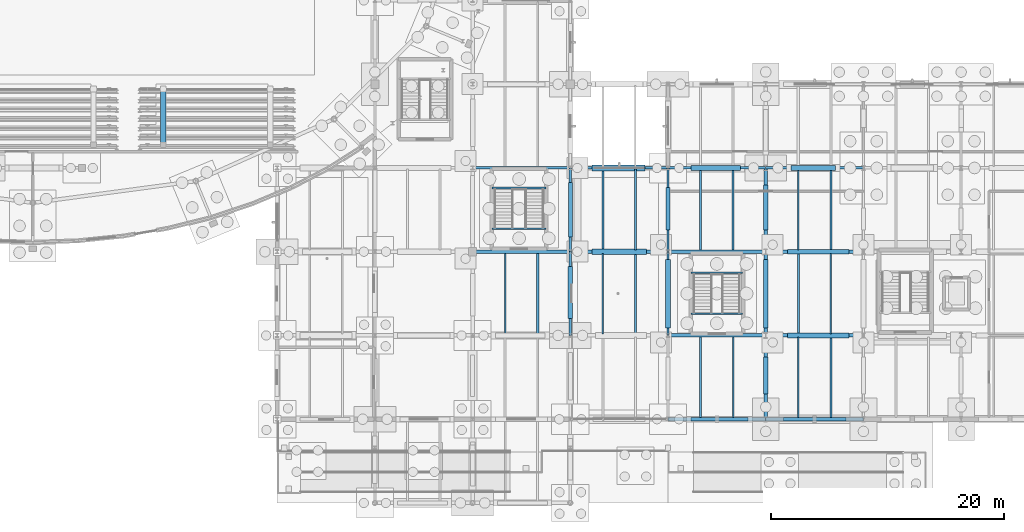
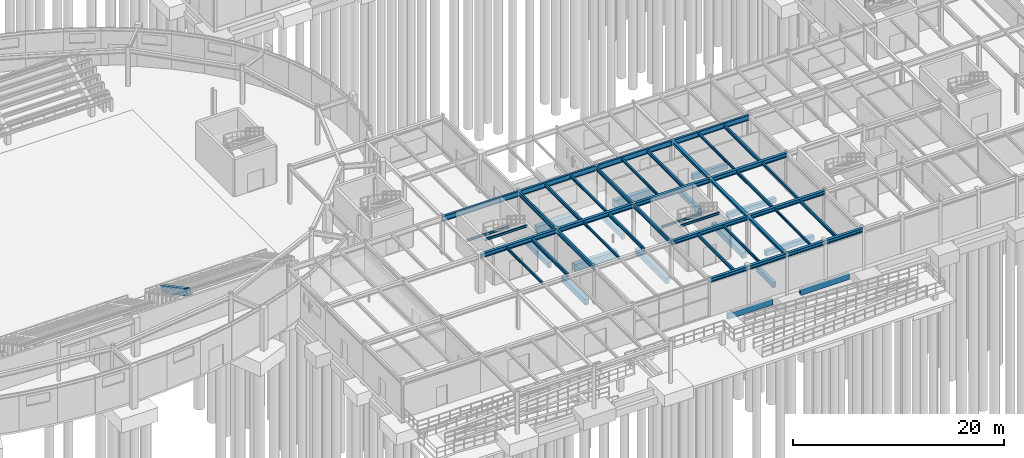
# One storey, part 37 of 93: 55 beams.
"""IFC4 building model written with IfcOpenShell, lengths in metres."""

from ifc_helpers import new_model, si_unit, derived_unit, direction, frame, origin, origin_2d, place, context, subcontext, project, spatial, rectangle, i_section, extrude, material, material_profile, profile_set, type_object, element, save


model = new_model("IFC4")

# Units and contexts
model_context = context("Model", 3, precision=1e-05, world=origin(), true_north=direction((0.0, 1.0)))
body_context = subcontext(model_context, "Body", "Model", "MODEL_VIEW")
ifc_project = project(units=[si_unit("LENGTHUNIT", "METRE"), si_unit("AREAUNIT", "SQUARE_METRE"), si_unit("VOLUMEUNIT", "CUBIC_METRE"), si_unit("PLANEANGLEUNIT", "RADIAN"), si_unit("MASSUNIT", "GRAM", prefix="KILO"), derived_unit("THERMALTRANSMITTANCEUNIT", [(si_unit("MASSUNIT", "GRAM", prefix="KILO"), 1), (si_unit("TIMEUNIT", "SECOND"), -3), (si_unit("THERMODYNAMICTEMPERATUREUNIT", "KELVIN"), -1)])], contexts=[model_context])

# Site, building, storey
site_placement = place(None, origin())
site = spatial("IfcSite", under=ifc_project, at=site_placement, CompositionType="ELEMENT")
building_placement = place(site_placement, origin())
building = spatial("IfcBuilding", under=site, at=building_placement, Name="Kharveza Railside Sports Centre", CompositionType="ELEMENT")
storey_placement = place(building_placement, origin())
storey = spatial("IfcBuildingStorey", under=building, at=storey_placement, Name="L00", CompositionType="ELEMENT", Elevation=0.0)

# Beams
ifc_material_1 = material(Name="Steel S355J2", Category="steel")
ifc_material_profile_1 = material_profile(ifc_material_1, i_section(OverallWidth=0.219970703125, OverallDepth=0.60009765625, WebThickness=0.011962890625, FlangeThickness=0.01904296875, FilletRadius=0.02392578125, at=origin_2d()), Name="IPE 600")
ifc_profile_set_1 = profile_set([ifc_material_profile_1], Name="Steel S355J2")
beam_type_1 = type_object("IfcBeamType", Name="BM-G01", PredefinedType="T_BEAM", material=ifc_profile_set_1)
beam_1_placement = place(storey_placement, frame((92.39990234375, 28.800048828125, 4.02001953125), z_axis=(1.0, 0.0, 0.0), x_axis=(0.0, 1.0, 0.0)))
element("IfcBeam", 1, at=beam_1_placement, inside=storey, type_object=beam_type_1, Name="BM-EW-L00-B01-X924-Y288", PredefinedType="T_BEAM", context=body_context, shape_type="SweptSolid", body=[
    extrude(i_section(OverallWidth=0.219970703125, OverallDepth=0.60009765625, WebThickness=0.011962890625, FlangeThickness=0.01904296875, FilletRadius=0.02392578125, at=origin_2d()), origin(), (0.0, 0.0, 1.0), 8.400146484375),
])
beam_2_placement = place(storey_placement, frame((100.800048828125, 28.800048828125, 4.02001953125), z_axis=(1.0, 0.0, 0.0), x_axis=(0.0, 1.0, 0.0)))
element("IfcBeam", 2, at=beam_2_placement, inside=storey, type_object=beam_type_1, Name="BM-EW-L00-B01-X1008-Y288", PredefinedType="T_BEAM", context=body_context, shape_type="SweptSolid", body=[
    extrude(i_section(OverallWidth=0.219970703125, OverallDepth=0.60009765625, WebThickness=0.011962890625, FlangeThickness=0.01904296875, FilletRadius=0.02392578125, at=origin_2d()), origin(), (0.0, 0.0, 1.0), 8.39990234375),
])
beam_3_placement = place(storey_placement, frame((109.199951171875, 28.800048828125, 4.02001953125), z_axis=(1.0, 0.0, 0.0), x_axis=(0.0, 1.0, 0.0)))
element("IfcBeam", 3, at=beam_3_placement, inside=storey, type_object=beam_type_1, Name="BM-EW-L00-B01-X1092-Y288", PredefinedType="T_BEAM", context=body_context, shape_type="SweptSolid", body=[
    extrude(i_section(OverallWidth=0.219970703125, OverallDepth=0.60009765625, WebThickness=0.011962890625, FlangeThickness=0.01904296875, FilletRadius=0.02392578125, at=origin_2d()), origin(), (0.0, 0.0, 1.0), 8.400146484375),
])
beam_4_placement = place(storey_placement, frame((117.60009765625, 28.800048828125, 4.02001953125), z_axis=(1.0, 0.0, 0.0), x_axis=(0.0, 1.0, 0.0)))
element("IfcBeam", 4, at=beam_4_placement, inside=storey, type_object=beam_type_1, Name="BM-EW-L00-B01-X1176-Y288", PredefinedType="T_BEAM", context=body_context, shape_type="SweptSolid", body=[
    extrude(i_section(OverallWidth=0.219970703125, OverallDepth=0.60009765625, WebThickness=0.011962890625, FlangeThickness=0.01904296875, FilletRadius=0.02392578125, at=origin_2d()), origin(), (0.0, 0.0, 1.0), 8.39990234375),
])
ifc_material_profile_2 = material_profile(ifc_material_1, i_section(OverallWidth=0.199951171875, OverallDepth=0.5, WebThickness=0.01025390625, FlangeThickness=0.01611328125, FilletRadius=0.02099609375, at=origin_2d()), Name="IPE 500")
ifc_profile_set_2 = profile_set([ifc_material_profile_2], Name="Steel S355J2")
beam_type_2 = type_object("IfcBeamType", Name="BM-G03", PredefinedType="T_BEAM", material=ifc_profile_set_2)
beam_5_placement = place(storey_placement, frame((100.800048828125, 14.39990234375, 4.070068359375), z_axis=(0.0, 1.0, 0.0), x_axis=(-1.0, 0.0, 0.0)))
element("IfcBeam", 5, at=beam_5_placement, inside=storey, type_object=beam_type_2, Name="BM-NS-L00-B03-X1008-Y144", PredefinedType="T_BEAM", context=body_context, shape_type="SweptSolid", body=[
    extrude(i_section(OverallWidth=0.199951171875, OverallDepth=0.5, WebThickness=0.01025390625, FlangeThickness=0.01611328125, FilletRadius=0.02099609375, at=origin_2d()), origin(), (0.0, 0.0, 1.0), 7.2001953125),
])
beam_6_placement = place(storey_placement, frame((100.800048828125, 21.60009765625, 4.070068359375), z_axis=(0.0, 1.0, 0.0), x_axis=(-1.0, 0.0, 0.0)))
element("IfcBeam", 6, at=beam_6_placement, inside=storey, type_object=beam_type_2, Name="BM-NS-L00-B03-X1008-Y216", PredefinedType="T_BEAM", context=body_context, shape_type="SweptSolid", body=[
    extrude(i_section(OverallWidth=0.199951171875, OverallDepth=0.5, WebThickness=0.01025390625, FlangeThickness=0.01611328125, FilletRadius=0.02099609375, at=origin_2d()), origin(), (0.0, 0.0, 1.0), 7.199951171875),
])
ifc_material_profile_3 = material_profile(ifc_material_1, i_section(OverallWidth=0.18994140625, OverallDepth=0.449951171875, WebThickness=0.009521484375, FlangeThickness=0.0146484375, FilletRadius=0.02099609375, at=origin_2d()), Name="IPE 450")
ifc_profile_set_3 = profile_set([ifc_material_profile_3], Name="Steel S355J2")
beam_type_3 = type_object("IfcBeamType", Name="BM-G04", PredefinedType="T_BEAM", material=ifc_profile_set_3)
beam_7_placement = place(storey_placement, frame((109.199951171875, 14.39990234375, 4.094970703125), z_axis=(0.0, 1.0, 0.0), x_axis=(-1.0, 0.0, 0.0)))
element("IfcBeam", 7, at=beam_7_placement, inside=storey, type_object=beam_type_3, Name="BM-NS-L00-B04-X1092-Y144", PredefinedType="T_BEAM", context=body_context, shape_type="SweptSolid", body=[
    extrude(i_section(OverallWidth=0.18994140625, OverallDepth=0.449951171875, WebThickness=0.009521484375, FlangeThickness=0.0146484375, FilletRadius=0.02099609375, at=origin_2d()), origin(), (0.0, 0.0, 1.0), 7.2001953125),
])
beam_8_placement = place(storey_placement, frame((109.199951171875, 21.60009765625, 4.094970703125), z_axis=(0.0, 1.0, 0.0), x_axis=(-1.0, 0.0, 0.0)))
element("IfcBeam", 8, at=beam_8_placement, inside=storey, type_object=beam_type_3, Name="BM-NS-L00-B04-X1092-Y216", PredefinedType="T_BEAM", context=body_context, shape_type="SweptSolid", body=[
    extrude(i_section(OverallWidth=0.18994140625, OverallDepth=0.449951171875, WebThickness=0.009521484375, FlangeThickness=0.0146484375, FilletRadius=0.02099609375, at=origin_2d()), origin(), (0.0, 0.0, 1.0), 7.199951171875),
])
ifc_material_profile_4 = material_profile(ifc_material_1, i_section(OverallWidth=0.300048828125, OverallDepth=0.5, WebThickness=0.014404296875, FlangeThickness=0.028076171875, FilletRadius=0.027099609375, at=origin_2d()), Name="HEB 500")
ifc_profile_set_4 = profile_set([ifc_material_profile_4], Name="Steel S355J2")
beam_type_4 = type_object("IfcBeamType", Name="BM-G05", PredefinedType="T_BEAM", material=ifc_profile_set_4)
beam_9_placement = place(storey_placement, frame((92.39990234375, 21.60009765625, 4.070068359375), z_axis=(1.0, 0.0, 0.0), x_axis=(0.0, 1.0, 0.0)))
element("IfcBeam", 9, at=beam_9_placement, inside=storey, type_object=beam_type_4, Name="BM-EW-L00-B05-X924-Y216", PredefinedType="T_BEAM", context=body_context, shape_type="SweptSolid", body=[
    extrude(i_section(OverallWidth=0.300048828125, OverallDepth=0.5, WebThickness=0.014404296875, FlangeThickness=0.028076171875, FilletRadius=0.027099609375, at=origin_2d()), origin(), (0.0, 0.0, 1.0), 8.400146484375),
])
beam_10_placement = place(storey_placement, frame((100.800048828125, 21.60009765625, 4.070068359375), z_axis=(1.0, 0.0, 0.0), x_axis=(0.0, 1.0, 0.0)))
element("IfcBeam", 10, at=beam_10_placement, inside=storey, type_object=beam_type_4, Name="BM-EW-L00-B05-X1008-Y216", PredefinedType="T_BEAM", context=body_context, shape_type="SweptSolid", body=[
    extrude(i_section(OverallWidth=0.300048828125, OverallDepth=0.5, WebThickness=0.014404296875, FlangeThickness=0.028076171875, FilletRadius=0.027099609375, at=origin_2d()), origin(), (0.0, 0.0, 1.0), 8.39990234375),
])
beam_11_placement = place(storey_placement, frame((109.199951171875, 21.60009765625, 4.070068359375), z_axis=(1.0, 0.0, 0.0), x_axis=(0.0, 1.0, 0.0)))
element("IfcBeam", 11, at=beam_11_placement, inside=storey, type_object=beam_type_4, Name="BM-EW-L00-B05-X1092-Y216", PredefinedType="T_BEAM", context=body_context, shape_type="SweptSolid", body=[
    extrude(i_section(OverallWidth=0.300048828125, OverallDepth=0.5, WebThickness=0.014404296875, FlangeThickness=0.028076171875, FilletRadius=0.027099609375, at=origin_2d()), origin(), (0.0, 0.0, 1.0), 8.400146484375),
])
beam_12_placement = place(storey_placement, frame((117.60009765625, 21.60009765625, 4.070068359375), z_axis=(1.0, 0.0, 0.0), x_axis=(0.0, 1.0, 0.0)))
element("IfcBeam", 12, at=beam_12_placement, inside=storey, type_object=beam_type_4, Name="BM-EW-L00-B05-X1176-Y216", PredefinedType="T_BEAM", context=body_context, shape_type="SweptSolid", body=[
    extrude(i_section(OverallWidth=0.300048828125, OverallDepth=0.5, WebThickness=0.014404296875, FlangeThickness=0.028076171875, FilletRadius=0.027099609375, at=origin_2d()), origin(), (0.0, 0.0, 1.0), 8.39990234375),
])
ifc_material_profile_5 = material_profile(ifc_material_1, i_section(OverallWidth=0.300048828125, OverallDepth=0.449951171875, WebThickness=0.013916015625, FlangeThickness=0.02587890625, FilletRadius=0.027099609375, at=origin_2d()), Name="HEB 450")
ifc_profile_set_5 = profile_set([ifc_material_profile_5], Name="Steel S355J2")
beam_type_5 = type_object("IfcBeamType", Name="BM-G06", PredefinedType="T_BEAM", material=ifc_profile_set_5)
beam_13_placement = place(storey_placement, frame((109.199951171875, 14.39990234375, 4.094970703125), z_axis=(1.0, 0.0, 0.0), x_axis=(0.0, 1.0, 0.0)))
element("IfcBeam", 13, at=beam_13_placement, inside=storey, type_object=beam_type_5, Name="BM-EW-L00-B06-X1092-Y144", PredefinedType="T_BEAM", context=body_context, shape_type="SweptSolid", body=[
    extrude(i_section(OverallWidth=0.300048828125, OverallDepth=0.449951171875, WebThickness=0.013916015625, FlangeThickness=0.02587890625, FilletRadius=0.027099609375, at=origin_2d()), origin(), (0.0, 0.0, 1.0), 8.400146484375),
])
beam_14_placement = place(storey_placement, frame((117.60009765625, 14.39990234375, 4.094970703125), z_axis=(1.0, 0.0, 0.0), x_axis=(0.0, 1.0, 0.0)))
element("IfcBeam", 14, at=beam_14_placement, inside=storey, type_object=beam_type_5, Name="BM-EW-L00-B06-X1176-Y144", PredefinedType="T_BEAM", context=body_context, shape_type="SweptSolid", body=[
    extrude(i_section(OverallWidth=0.300048828125, OverallDepth=0.449951171875, WebThickness=0.013916015625, FlangeThickness=0.02587890625, FilletRadius=0.027099609375, at=origin_2d()), origin(), (0.0, 0.0, 1.0), 8.39990234375),
])
ifc_material_2 = material(Name="Concrete C35/45", Category="concrete")
ifc_material_profile_6 = material_profile(ifc_material_2, rectangle(XDim=0.5, YDim=0.800048828125, at=origin_2d()), Name="RCB 500x800")
ifc_profile_set_6 = profile_set([ifc_material_profile_6], Name="Concrete C35/45")
beam_type_6 = type_object("IfcBeamType", Name="BM-RC01", PredefinedType="T_BEAM", material=ifc_profile_set_6)
beam_15_placement = place(storey_placement, frame((102.659912109375, 21.60009765625, -0.820068359375), z_axis=(1.0, 0.0, 0.0), x_axis=(0.0, 1.0, 0.0)))
element("IfcBeam", 15, at=beam_15_placement, inside=storey, type_object=beam_type_6, Name="BM-PLINTH-EW-B25-X1008-Y216-1", PredefinedType="T_BEAM", context=body_context, shape_type="SweptSolid", body=[
    extrude(rectangle(XDim=0.5, YDim=0.800048828125, at=origin_2d()), origin(), (0.0, 0.0, 1.0), 4.68017578125),
])
beam_16_placement = place(storey_placement, frame((102.659912109375, 28.800048828125, -0.820068359375), z_axis=(1.0, 0.0, 0.0), x_axis=(0.0, 1.0, 0.0)))
element("IfcBeam", 16, at=beam_16_placement, inside=storey, type_object=beam_type_6, Name="BM-PLINTH-EW-B25-X1008-Y288-1", PredefinedType="T_BEAM", context=body_context, shape_type="SweptSolid", body=[
    extrude(rectangle(XDim=0.5, YDim=0.800048828125, at=origin_2d()), origin(), (0.0, 0.0, 1.0), 4.580078125),
])
ifc_material_profile_7 = material_profile(ifc_material_2, rectangle(XDim=0.39990234375, YDim=0.64990234375, at=origin_2d()), Name="RCB 400x650")
ifc_profile_set_7 = profile_set([ifc_material_profile_7], Name="Concrete C35/45")
beam_type_7 = type_object("IfcBeamType", Name="BM-RC02", PredefinedType="BEAM", material=ifc_profile_set_7)
beam_17_placement = place(storey_placement, frame((100.800048828125, 15.860107421875, -0.7451171875), z_axis=(0.0, 1.0, 0.0), x_axis=(-1.0, 0.0, 0.0)))
element("IfcBeam", 17, at=beam_17_placement, inside=storey, type_object=beam_type_7, Name="BM-PLINTH-NS-B26-X1008-Y144-1", PredefinedType="BEAM", context=body_context, shape_type="SweptSolid", body=[
    extrude(rectangle(XDim=0.39990234375, YDim=0.64990234375, at=origin_2d()), origin(), (0.0, 0.0, 1.0), 4.47998046875),
])
for number, where, z_axis, x_axis, name in (
    (18, (109.199951171875, 15.06005859375, -0.7451171875), (0.0, 1.0, 0.0), (-1.0, 0.0, 0.0), "BM-PLINTH-NS-B26-X1092-Y144-1"),
    (19, (117.60009765625, 15.06005859375, -0.7451171875), (0.0, 1.0, 0.0), (-1.0, 0.0, 0.0), "BM-PLINTH-NS-B26-X1176-Y144-1"),
):
    element("IfcBeam", number, at=place(storey_placement, frame(where, z_axis=z_axis, x_axis=x_axis)), inside=storey, type_object=beam_type_7, Name=name, PredefinedType="BEAM", context=body_context, shape_type="SweptSolid", body=[
        extrude(rectangle(XDim=0.39990234375, YDim=0.64990234375, at=origin_2d()), origin(), (0.0, 0.0, 1.0), 5.8798828125),
    ])
ifc_material_3 = material(Name="Precast concrete C40/50", Category="concrete")
ifc_material_profile_8 = material_profile(ifc_material_3, rectangle(XDim=0.449951171875, YDim=0.75, at=origin_2d()), Name="RCB 450x750")
ifc_profile_set_8 = profile_set([ifc_material_profile_8], Name="Precast concrete C40/50")
beam_type_8 = type_object("IfcBeamType", Name="BM-RC04", PredefinedType="BEAM", material=ifc_profile_set_8)
beam_18_placement = place(storey_placement, frame((65.800048828125, 30.800048828125, 3.6298828125), z_axis=(0.0, 0.883895060385, -0.467685281175), x_axis=(-1.0, 0.0, 0.0)))
element("IfcBeam", 20, at=beam_18_placement, inside=storey, type_object=beam_type_8, Name="BM-RAKER-S-05", PredefinedType="BEAM", context=body_context, shape_type="SweptSolid", body=[
    extrude(rectangle(XDim=0.449951171875, YDim=0.75, at=origin_2d()), origin(), (0.0, 0.0, 1.0), 5.4306640625),
])
ifc_material_profile_9 = material_profile(ifc_material_2, rectangle(XDim=0.449951171875, YDim=0.85009765625, at=origin_2d()), Name="RCB 450x850")
ifc_profile_set_9 = profile_set([ifc_material_profile_9], Name="Concrete C35/45")
beam_type_9 = type_object("IfcBeamType", Name="BM-RC05", PredefinedType="T_BEAM", material=ifc_profile_set_9)
beam_19_placement = place(storey_placement, frame((111.159912109375, 28.800048828125, -0.844970703125), z_axis=(1.0, 0.0, 0.0), x_axis=(0.0, 1.0, 0.0)))
element("IfcBeam", 21, at=beam_19_placement, inside=storey, type_object=beam_type_9, Name="BM-PLINTH-EW-B29-X1092-Y288-1", PredefinedType="T_BEAM", context=body_context, shape_type="SweptSolid", body=[
    extrude(rectangle(XDim=0.449951171875, YDim=0.85009765625, at=origin_2d()), origin(), (0.0, 0.0, 1.0), 4.280029296875),
])
ifc_material_profile_10 = material_profile(ifc_material_2, rectangle(XDim=0.35009765625, YDim=0.60009765625, at=origin_2d()), Name="RCB 350x600")
ifc_profile_set_10 = profile_set([ifc_material_profile_10], Name="Concrete C35/45")
beam_type_10 = type_object("IfcBeamType", Name="BM-RC06", PredefinedType="BEAM", material=ifc_profile_set_10)
beam_20_placement = place(storey_placement, frame((100.800048828125, 22.860107421875, -0.719970703125), z_axis=(0.0, 1.0, 0.0), x_axis=(-1.0, 0.0, 0.0)))
element("IfcBeam", 22, at=beam_20_placement, inside=storey, type_object=beam_type_10, Name="BM-PLINTH-NS-B30-X1008-Y216-1", PredefinedType="BEAM", context=body_context, shape_type="SweptSolid", body=[
    extrude(rectangle(XDim=0.35009765625, YDim=0.60009765625, at=origin_2d()), origin(), (0.0, 0.0, 1.0), 4.679931640625),
])
beam_21_placement = place(storey_placement, frame((109.199951171875, 23.4599609375, -0.719970703125), z_axis=(0.0, 1.0, 0.0), x_axis=(-1.0, 0.0, 0.0)))
element("IfcBeam", 23, at=beam_21_placement, inside=storey, type_object=beam_type_10, Name="BM-PLINTH-NS-B30-X1092-Y216-1", PredefinedType="BEAM", context=body_context, shape_type="SweptSolid", body=[
    extrude(rectangle(XDim=0.35009765625, YDim=0.60009765625, at=origin_2d()), origin(), (0.0, 0.0, 1.0), 3.679931640625),
])
beam_22_placement = place(storey_placement, frame((117.60009765625, 9.385009765625, -0.719970703125), z_axis=(0.0, 1.0, 0.0), x_axis=(-1.0, 0.0, 0.0)))
element("IfcBeam", 24, at=beam_22_placement, inside=storey, type_object=beam_type_10, Name="BM-PLINTH-NS-B30-X1176-Y72-1", PredefinedType="BEAM", context=body_context, shape_type="SweptSolid", body=[
    extrude(rectangle(XDim=0.35009765625, YDim=0.60009765625, at=origin_2d()), origin(), (0.0, 0.0, 1.0), 3.155029296875),
])
beam_23_placement = place(storey_placement, frame((117.60009765625, 23.4599609375, -0.719970703125), z_axis=(0.0, 1.0, 0.0), x_axis=(-1.0, 0.0, 0.0)))
element("IfcBeam", 25, at=beam_23_placement, inside=storey, type_object=beam_type_10, Name="BM-PLINTH-NS-B30-X1176-Y216-1", PredefinedType="BEAM", context=body_context, shape_type="SweptSolid", body=[
    extrude(rectangle(XDim=0.35009765625, YDim=0.60009765625, at=origin_2d()), origin(), (0.0, 0.0, 1.0), 3.880126953125),
])
ifc_material_profile_11 = material_profile(ifc_material_2, rectangle(XDim=0.39990234375, YDim=0.550048828125, at=origin_2d()), Name="RCB 400x550")
ifc_profile_set_11 = profile_set([ifc_material_profile_11], Name="Concrete C35/45")
beam_type_11 = type_object("IfcBeamType", Name="BM-RC07", PredefinedType="LINTEL", material=ifc_profile_set_11)
for number, where, z_axis, x_axis, name in (
    (26, (119.4599609375, 14.39990234375, -0.695068359375), (1.0, 0.0, 0.0), (0.0, 1.0, 0.0), "BM-PLINTH-EW-B31-X1176-Y144-1"),
    (27, (119.4599609375, 21.60009765625, -0.695068359375), (1.0, 0.0, 0.0), (0.0, 1.0, 0.0), "BM-PLINTH-EW-B31-X1176-Y216-1"),
):
    element("IfcBeam", number, at=place(storey_placement, frame(where, z_axis=z_axis, x_axis=x_axis)), inside=storey, type_object=beam_type_11, Name=name, PredefinedType="LINTEL", context=body_context, shape_type="SweptSolid", body=[
        extrude(rectangle(XDim=0.39990234375, YDim=0.550048828125, at=origin_2d()), origin(), (0.0, 0.0, 1.0), 5.280029296875),
    ])
beam_24_placement = place(storey_placement, frame((119.760009765625, 28.800048828125, -0.695068359375), z_axis=(1.0, 0.0, 0.0), x_axis=(0.0, 1.0, 0.0)))
element("IfcBeam", 28, at=beam_24_placement, inside=storey, type_object=beam_type_11, Name="BM-PLINTH-EW-B31-X1176-Y288-1", PredefinedType="LINTEL", context=body_context, shape_type="SweptSolid", body=[
    extrude(rectangle(XDim=0.39990234375, YDim=0.550048828125, at=origin_2d()), origin(), (0.0, 0.0, 1.0), 3.85498046875),
])
ifc_material_profile_12 = material_profile(ifc_material_3, rectangle(XDim=0.300048828125, YDim=0.64990234375, at=origin_2d()), Name="RCB 300x650")
ifc_profile_set_12 = profile_set([ifc_material_profile_12], Name="Precast concrete C40/50")
beam_type_12 = type_object("IfcBeamType", Name="BM-RC08", PredefinedType="SPANDREL", material=ifc_profile_set_12)
beam_25_placement = place(storey_placement, frame((111.159912109375, 7.199951171875, -0.7451171875), z_axis=(1.0, 0.0, 0.0), x_axis=(0.0, 1.0, 0.0)))
element("IfcBeam", 29, at=beam_25_placement, inside=storey, type_object=beam_type_12, Name="BM-PLINTH-EW-B32-X1092-Y72-1", PredefinedType="SPANDREL", context=body_context, shape_type="SweptSolid", body=[
    extrude(rectangle(XDim=0.300048828125, YDim=0.64990234375, at=origin_2d()), origin(), (0.0, 0.0, 1.0), 4.93017578125),
])
beam_26_placement = place(storey_placement, frame((119.110107421875, 7.199951171875, -0.7451171875), z_axis=(1.0, 0.0, 0.0), x_axis=(0.0, 1.0, 0.0)))
element("IfcBeam", 30, at=beam_26_placement, inside=storey, type_object=beam_type_12, Name="BM-PLINTH-EW-B32-X1176-Y72-1", PredefinedType="SPANDREL", context=body_context, shape_type="SweptSolid", body=[
    extrude(rectangle(XDim=0.300048828125, YDim=0.64990234375, at=origin_2d()), origin(), (0.0, 0.0, 1.0), 5.3798828125),
])
ifc_material_profile_13 = material_profile(ifc_material_1, i_section(OverallWidth=0.179931640625, OverallDepth=0.39990234375, WebThickness=0.008544921875, FlangeThickness=0.013427734375, FilletRadius=0.02099609375, at=origin_2d()), Name="IPE 400")
ifc_profile_set_13 = profile_set([ifc_material_profile_13], Name="Steel S355J2")
beam_type_13 = type_object("IfcBeamType", Name="BM-S01", PredefinedType="BEAM", material=ifc_profile_set_13)
for number, where, z_axis, x_axis, name in (
    (31, (98.0, 14.547119140625, 4.1201171875), (0.0, 1.0, 0.0), (-1.0, 0.0, 0.0), "BM-SEC-L00-B09-X980-Y144"),
    (32, (106.39990234375, 14.547119140625, 4.1201171875), (0.0, 1.0, 0.0), (-1.0, 0.0, 0.0), "BM-SEC-L00-B09-X1064-Y144"),
):
    element("IfcBeam", number, at=place(storey_placement, frame(where, z_axis=z_axis, x_axis=x_axis)), inside=storey, type_object=beam_type_13, Name=name, PredefinedType="BEAM", context=body_context, shape_type="SweptSolid", body=[
        extrude(i_section(OverallWidth=0.179931640625, OverallDepth=0.39990234375, WebThickness=0.008544921875, FlangeThickness=0.013427734375, FilletRadius=0.02099609375, at=origin_2d()), origin(), (0.0, 0.0, 1.0), 6.90576171875),
    ])
for number, where, z_axis, x_axis, name in (
    (33, (103.60009765625, 21.7470703125, 4.1201171875), (0.0, 1.0, 0.0), (-1.0, 0.0, 0.0), "BM-SEC-L00-B09-X1036-Y216"),
    (34, (114.800048828125, 21.7470703125, 4.1201171875), (0.0, 1.0, 0.0), (-1.0, 0.0, 0.0), "BM-SEC-L00-B09-X1148-Y216"),
    (35, (123.199951171875, 21.7470703125, 4.1201171875), (0.0, 1.0, 0.0), (-1.0, 0.0, 0.0), "BM-SEC-L00-B09-X1232-Y216"),
):
    element("IfcBeam", number, at=place(storey_placement, frame(where, z_axis=z_axis, x_axis=x_axis)), inside=storey, type_object=beam_type_13, Name=name, PredefinedType="BEAM", context=body_context, shape_type="SweptSolid", body=[
        extrude(i_section(OverallWidth=0.179931640625, OverallDepth=0.39990234375, WebThickness=0.008544921875, FlangeThickness=0.013427734375, FilletRadius=0.02099609375, at=origin_2d()), origin(), (0.0, 0.0, 1.0), 6.946044921875),
    ])
ifc_material_profile_14 = material_profile(ifc_material_1, i_section(OverallWidth=0.169921875, OverallDepth=0.360107421875, WebThickness=0.008056640625, FlangeThickness=0.0126953125, FilletRadius=0.01806640625, at=origin_2d()), Name="IPE 360")
ifc_profile_set_14 = profile_set([ifc_material_profile_14], Name="Steel S355J2")
beam_type_14 = type_object("IfcBeamType", Name="BM-S02", PredefinedType="BEAM", material=ifc_profile_set_14)
for number, where, z_axis, x_axis, name in (
    (36, (112.0, 7.346923828125, 4.139892578125), (0.0, 1.0, 0.0), (-1.0, 0.0, 0.0), "BM-SEC-L00-B10-X1120-Y72"),
    (37, (123.199951171875, 7.346923828125, 4.139892578125), (0.0, 1.0, 0.0), (-1.0, 0.0, 0.0), "BM-SEC-L00-B10-X1232-Y72"),
):
    element("IfcBeam", number, at=place(storey_placement, frame(where, z_axis=z_axis, x_axis=x_axis)), inside=storey, type_object=beam_type_14, Name=name, PredefinedType="BEAM", context=body_context, shape_type="SweptSolid", body=[
        extrude(i_section(OverallWidth=0.169921875, OverallDepth=0.360107421875, WebThickness=0.008056640625, FlangeThickness=0.0126953125, FilletRadius=0.01806640625, at=origin_2d()), origin(), (0.0, 0.0, 1.0), 6.906005859375),
    ])
beam_27_placement = place(storey_placement, frame((120.39990234375, 14.547119140625, 4.139892578125), z_axis=(0.0, 1.0, 0.0), x_axis=(-1.0, 0.0, 0.0)))
element("IfcBeam", 38, at=beam_27_placement, inside=storey, type_object=beam_type_14, Name="BM-SEC-L00-B10-X1204-Y144", PredefinedType="BEAM", context=body_context, shape_type="SweptSolid", body=[
    extrude(i_section(OverallWidth=0.169921875, OverallDepth=0.360107421875, WebThickness=0.008056640625, FlangeThickness=0.0126953125, FilletRadius=0.01806640625, at=origin_2d()), origin(), (0.0, 0.0, 1.0), 6.90576171875),
])
ifc_material_profile_15 = material_profile(ifc_material_1, i_section(OverallWidth=0.159912109375, OverallDepth=0.330078125, WebThickness=0.007568359375, FlangeThickness=0.011474609375, FilletRadius=0.01806640625, at=origin_2d()), Name="IPE 330")
ifc_profile_set_15 = profile_set([ifc_material_profile_15], Name="Steel S355J2")
beam_type_15 = type_object("IfcBeamType", Name="BM-S03", PredefinedType="BEAM", material=ifc_profile_set_15)
beam_28_placement = place(storey_placement, frame((106.39990234375, 21.7470703125, 4.155029296875), z_axis=(0.0, 1.0, 0.0), x_axis=(-1.0, 0.0, 0.0)))
element("IfcBeam", 39, at=beam_28_placement, inside=storey, type_object=beam_type_15, Name="BM-SEC-L00-B11-X1064-Y216", PredefinedType="BEAM", context=body_context, shape_type="SweptSolid", body=[
    extrude(i_section(OverallWidth=0.159912109375, OverallDepth=0.330078125, WebThickness=0.007568359375, FlangeThickness=0.011474609375, FilletRadius=0.01806640625, at=origin_2d()), origin(), (0.0, 0.0, 1.0), 6.946044921875),
])
ifc_material_profile_16 = material_profile(ifc_material_1, i_section(OverallWidth=0.14990234375, OverallDepth=0.300048828125, WebThickness=0.007080078125, FlangeThickness=0.0107421875, FilletRadius=0.014892578125, at=origin_2d()), Name="IPE 300")
ifc_profile_set_16 = profile_set([ifc_material_profile_16], Name="Steel S355J2")
beam_type_16 = type_object("IfcBeamType", Name="BM-S04", PredefinedType="BEAM", material=ifc_profile_set_16)
for number, where, z_axis, x_axis, name in (
    (40, (95.199951171875, 14.547119140625, 4.169921875), (0.0, 1.0, 0.0), (-1.0, 0.0, 0.0), "BM-SEC-L00-B12-X952-Y144"),
    (41, (103.60009765625, 14.547119140625, 4.169921875), (0.0, 1.0, 0.0), (-1.0, 0.0, 0.0), "BM-SEC-L00-B12-X1036-Y144"),
):
    element("IfcBeam", number, at=place(storey_placement, frame(where, z_axis=z_axis, x_axis=x_axis)), inside=storey, type_object=beam_type_16, Name=name, PredefinedType="BEAM", context=body_context, shape_type="SweptSolid", body=[
        extrude(i_section(OverallWidth=0.14990234375, OverallDepth=0.300048828125, WebThickness=0.007080078125, FlangeThickness=0.0107421875, FilletRadius=0.014892578125, at=origin_2d()), origin(), (0.0, 0.0, 1.0), 6.90576171875),
    ])
beam_29_placement = place(storey_placement, frame((114.800048828125, 7.346923828125, 4.169921875), z_axis=(0.0, 1.0, 0.0), x_axis=(-1.0, 0.0, 0.0)))
element("IfcBeam", 42, at=beam_29_placement, inside=storey, type_object=beam_type_16, Name="BM-SEC-L00-B12-X1148-Y72", PredefinedType="BEAM", context=body_context, shape_type="SweptSolid", body=[
    extrude(i_section(OverallWidth=0.14990234375, OverallDepth=0.300048828125, WebThickness=0.007080078125, FlangeThickness=0.0107421875, FilletRadius=0.014892578125, at=origin_2d()), origin(), (0.0, 0.0, 1.0), 6.906005859375),
])
beam_30_placement = place(storey_placement, frame((112.0, 21.7470703125, 4.169921875), z_axis=(0.0, 1.0, 0.0), x_axis=(-1.0, 0.0, 0.0)))
element("IfcBeam", 43, at=beam_30_placement, inside=storey, type_object=beam_type_16, Name="BM-SEC-L00-B12-X1120-Y216", PredefinedType="BEAM", context=body_context, shape_type="SweptSolid", body=[
    extrude(i_section(OverallWidth=0.14990234375, OverallDepth=0.300048828125, WebThickness=0.007080078125, FlangeThickness=0.0107421875, FilletRadius=0.014892578125, at=origin_2d()), origin(), (0.0, 0.0, 1.0), 6.946044921875),
])
beam_31_placement = place(storey_placement, frame((123.199951171875, 14.547119140625, 4.169921875), z_axis=(0.0, 1.0, 0.0), x_axis=(-1.0, 0.0, 0.0)))
element("IfcBeam", 44, at=beam_31_placement, inside=storey, type_object=beam_type_16, Name="BM-SEC-L00-B12-X1232-Y144", PredefinedType="BEAM", context=body_context, shape_type="SweptSolid", body=[
    extrude(i_section(OverallWidth=0.14990234375, OverallDepth=0.300048828125, WebThickness=0.007080078125, FlangeThickness=0.0107421875, FilletRadius=0.014892578125, at=origin_2d()), origin(), (0.0, 0.0, 1.0), 6.90576171875),
])
beam_32_placement = place(storey_placement, frame((120.39990234375, 21.7470703125, 4.169921875), z_axis=(0.0, 1.0, 0.0), x_axis=(-1.0, 0.0, 0.0)))
element("IfcBeam", 45, at=beam_32_placement, inside=storey, type_object=beam_type_16, Name="BM-SEC-L00-B12-X1204-Y216", PredefinedType="BEAM", context=body_context, shape_type="SweptSolid", body=[
    extrude(i_section(OverallWidth=0.14990234375, OverallDepth=0.300048828125, WebThickness=0.007080078125, FlangeThickness=0.0107421875, FilletRadius=0.014892578125, at=origin_2d()), origin(), (0.0, 0.0, 1.0), 6.946044921875),
])
ifc_material_profile_17 = material_profile(ifc_material_1, i_section(OverallWidth=0.135009765625, OverallDepth=0.27001953125, WebThickness=0.006591796875, FlangeThickness=0.01025390625, FilletRadius=0.014892578125, at=origin_2d()), Name="IPE 270")
ifc_profile_set_17 = profile_set([ifc_material_profile_17], Name="Steel S355J2")
beam_type_17 = type_object("IfcBeamType", Name="BM-S05", PredefinedType="BEAM", material=ifc_profile_set_17)
beam_33_placement = place(storey_placement, frame((120.39990234375, 7.346923828125, 4.18505859375), z_axis=(0.0, 1.0, 0.0), x_axis=(-1.0, 0.0, 0.0)))
element("IfcBeam", 46, at=beam_33_placement, inside=storey, type_object=beam_type_17, Name="BM-SEC-L00-B13-X1204-Y72", PredefinedType="BEAM", context=body_context, shape_type="SweptSolid", body=[
    extrude(i_section(OverallWidth=0.135009765625, OverallDepth=0.27001953125, WebThickness=0.006591796875, FlangeThickness=0.01025390625, FilletRadius=0.014892578125, at=origin_2d()), origin(), (0.0, 0.0, 1.0), 6.906005859375),
])
for number, where, z_axis, x_axis, name in (
    (47, (94.080078125, 27.080078125, 1.929931640625), (1.0, 0.0, 0.0), (0.0, 1.0, 0.0), "BM-HLND-ST10-L00"),
    (48, (94.080078125, 23.56005859375, 4.179931640625), (1.0, 0.0, 0.0), (0.0, 1.0, 0.0), "BM-STLND-ST10-L01"),
):
    element("IfcBeam", number, at=place(storey_placement, frame(where, z_axis=z_axis, x_axis=x_axis)), inside=storey, type_object=beam_type_17, Name=name, PredefinedType="BEAM", context=body_context, shape_type="SweptSolid", body=[
        extrude(i_section(OverallWidth=0.135009765625, OverallDepth=0.27001953125, WebThickness=0.006591796875, FlangeThickness=0.01025390625, FilletRadius=0.014892578125, at=origin_2d()), origin(), (0.0, 0.0, 1.0), 4.639892578125),
    ])
for number, where, z_axis, x_axis, name in (
    (49, (111.179931640625, 19.780029296875, 1.929931640625), (1.0, 0.0, 0.0), (0.0, 1.0, 0.0), "BM-HLND-ST12-L00"),
    (50, (111.179931640625, 16.260009765625, 4.179931640625), (1.0, 0.0, 0.0), (0.0, 1.0, 0.0), "BM-STLND-ST12-L01"),
):
    element("IfcBeam", number, at=place(storey_placement, frame(where, z_axis=z_axis, x_axis=x_axis)), inside=storey, type_object=beam_type_17, Name=name, PredefinedType="BEAM", context=body_context, shape_type="SweptSolid", body=[
        extrude(i_section(OverallWidth=0.135009765625, OverallDepth=0.27001953125, WebThickness=0.006591796875, FlangeThickness=0.01025390625, FilletRadius=0.014892578125, at=origin_2d()), origin(), (0.0, 0.0, 1.0), 4.440185546875),
    ])
ifc_material_profile_18 = material_profile(ifc_material_1, i_section(OverallWidth=0.300048828125, OverallDepth=0.31005859375, WebThickness=0.009033203125, FlangeThickness=0.015380859375, FilletRadius=0.027099609375, at=origin_2d()), Name="HEA 320")
ifc_profile_set_18 = profile_set([ifc_material_profile_18], Name="Steel S355J2")
beam_type_18 = type_object("IfcBeamType", Name="BM-S06", PredefinedType="BEAM", material=ifc_profile_set_18)
beam_34_placement = place(storey_placement, frame((117.60009765625, 7.199951171875, 4.1650390625), z_axis=(0.0, 1.0, 0.0), x_axis=(-1.0, 0.0, 0.0)))
element("IfcBeam", 51, at=beam_34_placement, inside=storey, type_object=beam_type_18, Name="BM-NS-L00-B14-X1176-Y72", PredefinedType="BEAM", context=body_context, shape_type="SweptSolid", body=[
    extrude(i_section(OverallWidth=0.300048828125, OverallDepth=0.31005859375, WebThickness=0.009033203125, FlangeThickness=0.015380859375, FilletRadius=0.027099609375, at=origin_2d()), origin(), (0.0, 0.0, 1.0), 7.199951171875),
])
beam_35_placement = place(storey_placement, frame((117.60009765625, 14.39990234375, 4.1650390625), z_axis=(0.0, 1.0, 0.0), x_axis=(-1.0, 0.0, 0.0)))
element("IfcBeam", 52, at=beam_35_placement, inside=storey, type_object=beam_type_18, Name="BM-NS-L00-B14-X1176-Y144", PredefinedType="BEAM", context=body_context, shape_type="SweptSolid", body=[
    extrude(i_section(OverallWidth=0.300048828125, OverallDepth=0.31005859375, WebThickness=0.009033203125, FlangeThickness=0.015380859375, FilletRadius=0.027099609375, at=origin_2d()), origin(), (0.0, 0.0, 1.0), 7.2001953125),
])
beam_36_placement = place(storey_placement, frame((117.60009765625, 21.60009765625, 4.1650390625), z_axis=(0.0, 1.0, 0.0), x_axis=(-1.0, 0.0, 0.0)))
element("IfcBeam", 53, at=beam_36_placement, inside=storey, type_object=beam_type_18, Name="BM-NS-L00-B14-X1176-Y216", PredefinedType="BEAM", context=body_context, shape_type="SweptSolid", body=[
    extrude(i_section(OverallWidth=0.300048828125, OverallDepth=0.31005859375, WebThickness=0.009033203125, FlangeThickness=0.015380859375, FilletRadius=0.027099609375, at=origin_2d()), origin(), (0.0, 0.0, 1.0), 7.199951171875),
])
ifc_material_profile_19 = material_profile(ifc_material_1, i_section(OverallWidth=0.300048828125, OverallDepth=0.43994140625, WebThickness=0.011474609375, FlangeThickness=0.02099609375, FilletRadius=0.027099609375, at=origin_2d()), Name="HEA 450")
ifc_profile_set_19 = profile_set([ifc_material_profile_19], Name="Steel S355J2")
beam_type_19 = type_object("IfcBeamType", Name="BM-SP01", PredefinedType="SPANDREL", material=ifc_profile_set_19)
beam_37_placement = place(storey_placement, frame((109.199951171875, 7.199951171875, 4.10009765625), z_axis=(1.0, 0.0, 0.0), x_axis=(0.0, 1.0, 0.0)))
element("IfcBeam", 54, at=beam_37_placement, inside=storey, type_object=beam_type_19, Name="BM-EW-L00-B15-X1092-Y72", PredefinedType="SPANDREL", context=body_context, shape_type="SweptSolid", body=[
    extrude(i_section(OverallWidth=0.300048828125, OverallDepth=0.43994140625, WebThickness=0.011474609375, FlangeThickness=0.02099609375, FilletRadius=0.027099609375, at=origin_2d()), origin(), (0.0, 0.0, 1.0), 8.400146484375),
])
beam_38_placement = place(storey_placement, frame((117.60009765625, 7.199951171875, 4.10009765625), z_axis=(1.0, 0.0, 0.0), x_axis=(0.0, 1.0, 0.0)))
element("IfcBeam", 55, at=beam_38_placement, inside=storey, type_object=beam_type_19, Name="BM-EW-L00-B15-X1176-Y72", PredefinedType="SPANDREL", context=body_context, shape_type="SweptSolid", body=[
    extrude(i_section(OverallWidth=0.300048828125, OverallDepth=0.43994140625, WebThickness=0.011474609375, FlangeThickness=0.02099609375, FilletRadius=0.027099609375, at=origin_2d()), origin(), (0.0, 0.0, 1.0), 8.39990234375),
])

save(model, "model.ifc")
